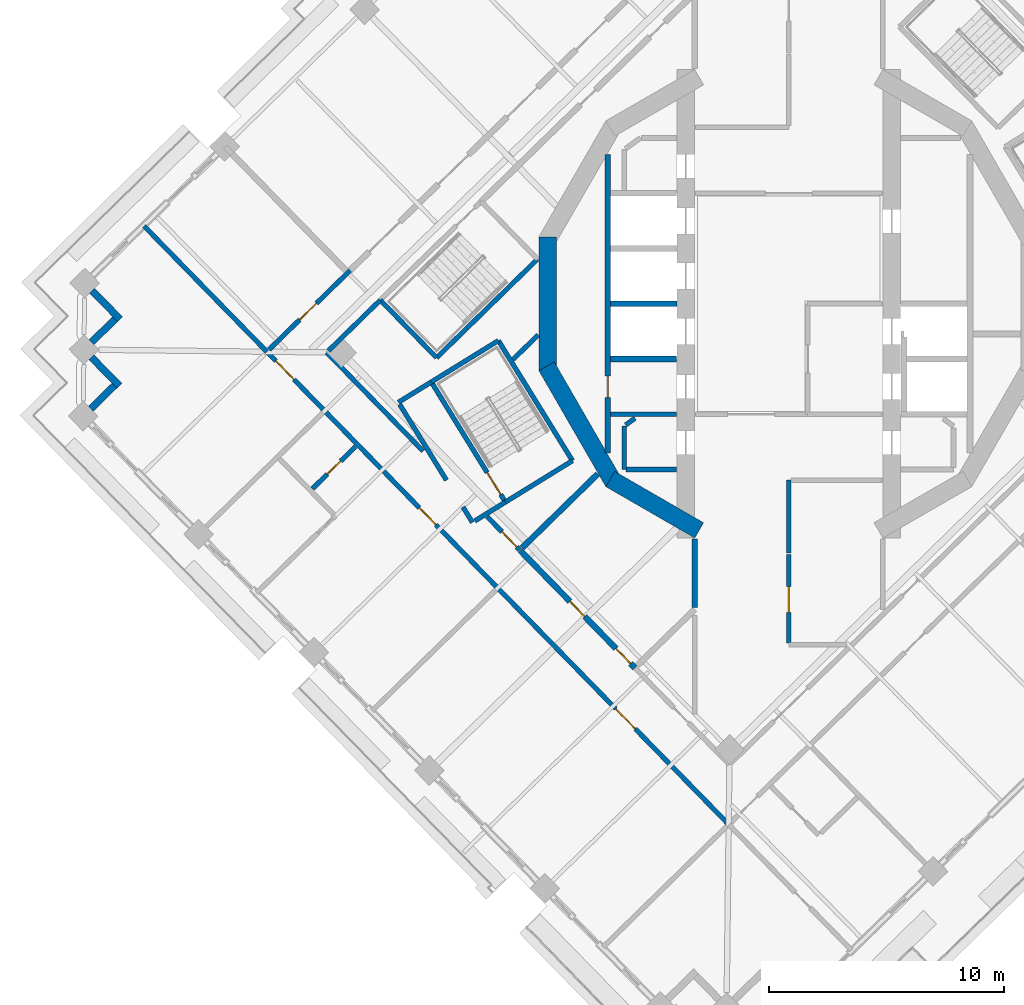
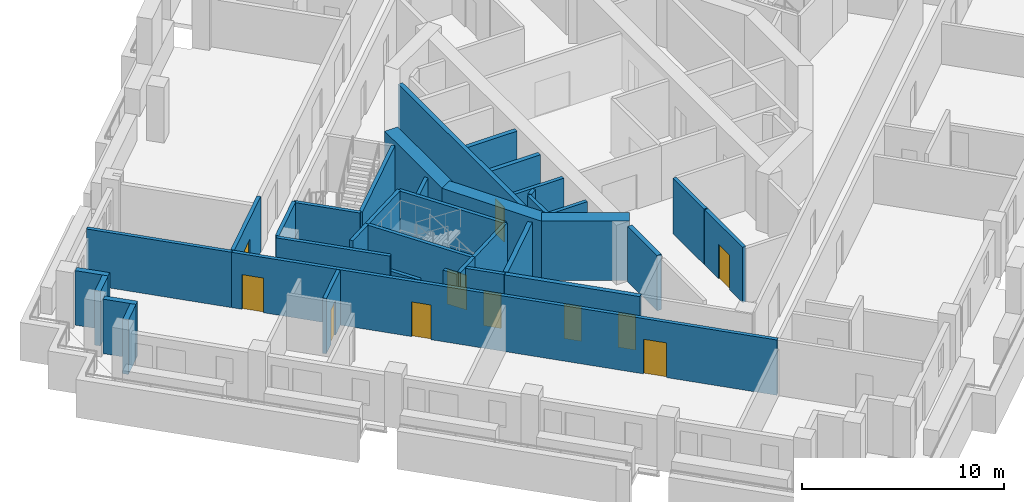
# One storey, part 5 of 17: 37 walls, 11 doors, 11 openings.
"""IFC4 building model written with IfcOpenShell, lengths in metres."""

from ifc_helpers import new_model, si_unit, direction, frame, frame_2d, origin, place, context, subcontext, project, spatial, rectangle, extrude, material, layer, layer_set, type_object, element, fill, save


model = new_model("IFC4")

# Units and contexts
model_context = context("Model", 3, precision=1e-05, world=origin(), true_north=direction((0.0, 1.0)))
body_context = subcontext(model_context, "Body", "Model", "MODEL_VIEW")
ifc_project = project(units=[si_unit("LENGTHUNIT", "METRE"), si_unit("AREAUNIT", "SQUARE_METRE"), si_unit("VOLUMEUNIT", "CUBIC_METRE"), si_unit("PLANEANGLEUNIT", "RADIAN"), si_unit("MASSUNIT", "GRAM", prefix="KILO")], contexts=[model_context])

# Site, building, storey
site_placement = place(None, origin())
site = spatial("IfcSite", under=ifc_project, at=site_placement, CompositionType="ELEMENT")
building_placement = place(site_placement, origin())
building = spatial("IfcBuilding", under=site, at=building_placement, Name="Cantera Rosa Tower", CompositionType="ELEMENT")
storey_placement = place(building_placement, frame((0.0, 0.0, 227.0)))
storey = spatial("IfcBuildingStorey", under=building, at=storey_placement, Name="L49", CompositionType="ELEMENT", Elevation=227.0)

# Wall
ifc_material_1 = material(Name="Gypsum board partition")
ifc_layer_1 = layer(ifc_material_1, 0.199951171875)
ifc_layer_set_1 = layer_set([ifc_layer_1], Name="CORRIDOR WALL 200 H2300")
wall_type_1 = type_object("IfcWallType", Name="CORRIDOR WALL 200 H2300", PredefinedType="PARTITIONING", material=ifc_layer_set_1)
wall_1_placement = place(storey_placement, frame((-16.548095703125, -4.274658203125, 0.0), z_axis=(0.0, 0.0, 1.0), x_axis=(0.524970357961, -0.851120510423, 0.0)))
element("IfcWall", 1, at=wall_1_placement, inside=storey, type_object=wall_type_1, Name="CORRIDOR WALL L49-011", PredefinedType="PARTITIONING", context=body_context, shape_type="SweptSolid", body=[
    extrude(rectangle(XDim=3.790771484375, YDim=0.199951171875, at=frame_2d((1.8955078125, 0.0))), origin(), (0.0, 0.0, 1.0), 2.300048828125),
])

# Wall, openings, doors
ifc_material_2 = material(Name="Gypsum board partition")
ifc_layer_2 = layer(ifc_material_2, 0.199951171875)
ifc_layer_set_2 = layer_set([ifc_layer_2], Name="CORRIDOR WALL 200 H3350")
wall_type_2 = type_object("IfcWallType", Name="CORRIDOR WALL 200 H3350", PredefinedType="PARTITIONING", material=ifc_layer_set_2)
wall_2_placement = place(storey_placement, frame((-22.17919921875, -2.05419921875, 0.0), z_axis=(0.0, 0.0, 1.0), x_axis=(0.698829646007, -0.715288141844, 0.0)))
wall_2 = element("IfcWall", 2, at=wall_2_placement, inside=storey, type_object=wall_type_2, Name="CORRIDOR WALL L49-004", PredefinedType="PARTITIONING", context=body_context, shape_type="SweptSolid", body=[
    extrude(rectangle(XDim=28.080322265625, YDim=0.199951171875, at=frame_2d((14.0400390625, 0.0))), origin(), (0.0, 0.0, 1.0), 3.35009765625),
])
opening_1_placement = place(wall_2_placement, frame((21.199951171875, 0.0, 0.0)))
opening_1 = element("IfcOpeningElement", 3, at=opening_1_placement, cuts=wall_2, Name="Opening L49-038", PredefinedType="OPENING", context=body_context, shape_type="SweptSolid", body=[
    extrude(rectangle(XDim=1.199951171875, YDim=2.10009765625, at=frame_2d((0.60009765625, 1.050048828125))), frame((0.0, 0.10986328125, 0.0), z_axis=(0.0, -1.0, 0.0), x_axis=(1.0, 0.0, 0.0)), (0.0, 0.0, 1.0), 0.219970703125),
])
opening_2_placement = place(wall_2_placement, frame((9.264892578125, 0.0, 0.0)))
opening_2 = element("IfcOpeningElement", 4, at=opening_2_placement, cuts=wall_2, Name="Opening L49-039", PredefinedType="OPENING", context=body_context, shape_type="SweptSolid", body=[
    extrude(rectangle(XDim=1.0, YDim=2.10009765625, at=frame_2d((0.5, 1.050048828125))), frame((0.0, 0.10986328125, 0.0), z_axis=(0.0, -1.0, 0.0), x_axis=(1.0, 0.0, 0.0)), (0.0, 0.0, 1.0), 0.219970703125),
])
opening_3_placement = place(wall_2_placement, frame((0.530029296875, 0.0, 0.0)))
opening_3 = element("IfcOpeningElement", 5, at=opening_3_placement, cuts=wall_2, Name="Opening L49-042", PredefinedType="OPENING", context=body_context, shape_type="SweptSolid", body=[
    extrude(rectangle(XDim=1.10009765625, YDim=2.10009765625, at=frame_2d((0.550048828125, 1.050048828125))), frame((0.0, 0.10986328125, 0.0), z_axis=(0.0, -1.0, 0.0), x_axis=(1.0, 0.0, 0.0)), (0.0, 0.0, 1.0), 0.219970703125),
])
ifc_material_3 = material(Name="Timber door leaf", Category="wood")
door_type_1 = type_object("IfcDoorType", Name="ENTRANCE DOOR 1000x2100", OperationType="NOTDEFINED", PredefinedType="DOOR", material=ifc_material_3)
door_1_placement = place(opening_2_placement, origin())
door_1 = element("IfcDoor", 6, at=door_1_placement, inside=storey, type_object=door_type_1, Name="DOOR L49-039", OperationType="NOTDEFINED", OverallHeight=2.10009765625, OverallWidth=1.0, PredefinedType="DOOR", context=body_context, shape_type="SweptSolid", body=[
    extrude(rectangle(XDim=1.0, YDim=2.10009765625, at=frame_2d((0.5, 1.050048828125))), frame((0.0, 0.02490234375, 0.0), z_axis=(0.0, -1.0, 0.0), x_axis=(1.0, 0.0, 0.0)), (0.0, 0.0, 1.0), 0.050048828125),
])
fill(opening_2, door_1)
ifc_material_4 = material(Name="Timber door leaf", Category="wood")
door_type_2 = type_object("IfcDoorType", Name="ROOM DOOR 1100x2100", OperationType="NOTDEFINED", PredefinedType="DOOR", material=ifc_material_4)
door_2_placement = place(opening_3_placement, origin())
door_2 = element("IfcDoor", 7, at=door_2_placement, inside=storey, type_object=door_type_2, Name="DOOR L49-042", OperationType="NOTDEFINED", OverallHeight=2.10009765625, OverallWidth=1.10009765625, PredefinedType="DOOR", context=body_context, shape_type="SweptSolid", body=[
    extrude(rectangle(XDim=1.10009765625, YDim=2.10009765625, at=frame_2d((0.550048828125, 1.050048828125))), frame((0.0, 0.02490234375, 0.0), z_axis=(0.0, -1.0, 0.0), x_axis=(1.0, 0.0, 0.0)), (0.0, 0.0, 1.0), 0.050048828125),
])
fill(opening_3, door_2)
ifc_material_5 = material(Name="Timber door leaf", Category="wood")
door_type_3 = type_object("IfcDoorType", Name="ROOM DOOR 1200x2100", OperationType="NOTDEFINED", PredefinedType="DOOR", material=ifc_material_5)
door_3_placement = place(opening_1_placement, origin())
door_3 = element("IfcDoor", 8, at=door_3_placement, inside=storey, type_object=door_type_3, Name="DOOR L49-038", OperationType="NOTDEFINED", OverallHeight=2.10009765625, OverallWidth=1.199951171875, PredefinedType="DOOR", context=body_context, shape_type="SweptSolid", body=[
    extrude(rectangle(XDim=1.199951171875, YDim=2.10009765625, at=frame_2d((0.60009765625, 1.050048828125))), frame((0.0, 0.02490234375, 0.0), z_axis=(0.0, -1.0, 0.0), x_axis=(1.0, 0.0, 0.0)), (0.0, 0.0, 1.0), 0.050048828125),
])
fill(opening_1, door_3)

# Walls
wall_3_placement = place(storey_placement, frame((-19.647705078125, -2.069580078125, 0.0), z_axis=(0.0, 0.0, 1.0), x_axis=(0.698845926006, -0.715272236079, 0.0)))
element("IfcWall", 9, at=wall_3_placement, inside=storey, type_object=wall_type_2, Name="CORRIDOR WALL L49-005", PredefinedType="PARTITIONING", context=body_context, shape_type="SweptSolid", body=[
    extrude(rectangle(XDim=5.870849609375, YDim=0.199951171875, at=frame_2d((2.935546875, 0.0))), origin(), (0.0, 0.0, 1.0), 3.35009765625),
])
wall_4_placement = place(storey_placement, frame((-17.36962890625, 0.156005859375, 0.0), z_axis=(0.0, 0.0, 1.0), x_axis=(-0.715289693103, -0.69882805821, 0.0)))
element("IfcWall", 10, at=wall_4_placement, inside=storey, type_object=wall_type_2, Name="CORRIDOR WALL L49-009", PredefinedType="PARTITIONING", context=body_context, shape_type="SweptSolid", body=[
    extrude(rectangle(XDim=3.084716796875, YDim=0.199951171875, at=frame_2d((1.54248046875, 0.0))), origin(), (0.0, 0.0, 1.0), 3.35009765625),
])
wall_5_placement = place(storey_placement, frame((-16.6005859375, -4.189697265625, 0.0), z_axis=(0.0, 0.0, 1.0), x_axis=(0.8510360128, 0.525107327047, 0.0)))
element("IfcWall", 11, at=wall_5_placement, inside=storey, type_object=wall_type_2, Name="CORRIDOR WALL L49-010", PredefinedType="PARTITIONING", context=body_context, shape_type="SweptSolid", body=[
    extrude(rectangle(XDim=1.64501953125, YDim=0.199951171875, at=frame_2d((0.822509765625, 0.0))), origin(), (0.0, 0.0, 1.0), 3.35009765625),
])
wall_6_placement = place(storey_placement, frame((-13.8525390625, -8.64501953125, 0.0), z_axis=(0.0, 0.0, 1.0), x_axis=(0.52482706305, -0.851208877944, 0.0)))
element("IfcWall", 12, at=wall_6_placement, inside=storey, type_object=wall_type_2, Name="CORRIDOR WALL L49-012", PredefinedType="PARTITIONING", context=body_context, shape_type="SweptSolid", body=[
    extrude(rectangle(XDim=0.76513671875, YDim=0.199951171875, at=frame_2d((0.382568359375, 0.0))), origin(), (0.0, 0.0, 1.0), 3.35009765625),
])
wall_7_placement = place(storey_placement, frame((-13.3486328125, -9.2333984375, 0.0), z_axis=(0.0, 0.0, 1.0), x_axis=(0.851042101438, 0.525097459126, 0.0)))
element("IfcWall", 13, at=wall_7_placement, inside=storey, type_object=wall_type_2, Name="CORRIDOR WALL L49-015", PredefinedType="PARTITIONING", context=body_context, shape_type="SweptSolid", body=[
    extrude(rectangle(XDim=1.52490234375, YDim=0.199951171875, at=frame_2d((0.762451171875, 0.0))), origin(), (0.0, 0.0, 1.0), 3.35009765625),
])

# Wall, opening, door
wall_8_placement = place(storey_placement, frame((-12.828125, -9.0498046875, 0.0), z_axis=(0.0, 0.0, 1.0), x_axis=(0.698907294962, -0.715212271322, 0.0)))
wall_8 = element("IfcWall", 14, at=wall_8_placement, inside=storey, type_object=wall_type_2, Name="CORRIDOR WALL L49-017", PredefinedType="PARTITIONING", context=body_context, shape_type="SweptSolid", body=[
    extrude(rectangle(XDim=1.991455078125, YDim=0.199951171875, at=frame_2d((0.99560546875, 0.0))), origin(), (0.0, 0.0, 1.0), 3.35009765625),
])
opening_4_placement = place(wall_8_placement, frame((0.908203125, 0.0, 0.0)))
opening_4 = element("IfcOpeningElement", 15, at=opening_4_placement, cuts=wall_8, Name="Opening L49-009", PredefinedType="OPENING", context=body_context, shape_type="SweptSolid", body=[
    extrude(rectangle(XDim=0.89990234375, YDim=2.10009765625, at=frame_2d((0.449951171875, 1.050048828125))), frame((0.0, 0.10986328125, 0.0), z_axis=(0.0, -1.0, 0.0), x_axis=(1.0, 0.0, 0.0)), (0.0, 0.0, 1.0), 0.219970703125),
])
ifc_material_6 = material(Name="Timber door leaf", Category="wood")
door_type_4 = type_object("IfcDoorType", Name="SERVICE DOOR 900x2100", OperationType="NOTDEFINED", PredefinedType="DOOR", material=ifc_material_6)
door_4_placement = place(opening_4_placement, origin())
door_4 = element("IfcDoor", 16, at=door_4_placement, inside=storey, type_object=door_type_4, Name="DOOR L49-009", OperationType="NOTDEFINED", OverallHeight=2.10009765625, OverallWidth=0.89990234375, PredefinedType="DOOR", context=body_context, shape_type="SweptSolid", body=[
    extrude(rectangle(XDim=0.89990234375, YDim=2.10009765625, at=frame_2d((0.449951171875, 1.050048828125))), frame((0.0, 0.02490234375, 0.0), z_axis=(0.0, -1.0, 0.0), x_axis=(1.0, 0.0, 0.0)), (0.0, 0.0, 1.0), 0.050048828125),
])
fill(opening_4, door_4)

wall_9_placement = place(storey_placement, frame((0.0, -10.6552734375, 0.0), z_axis=(0.0, 0.0, 1.0), x_axis=(0.0, -1.0, 0.0)))
wall_9 = element("IfcWall", 17, at=wall_9_placement, inside=storey, type_object=wall_type_2, Name="CORRIDOR WALL L49-057", PredefinedType="PARTITIONING", context=body_context, shape_type="SweptSolid", body=[
    extrude(rectangle(XDim=3.7646484375, YDim=0.199951171875, at=frame_2d((1.88232421875, 0.0))), origin(), (0.0, 0.0, 1.0), 3.35009765625),
])
opening_5_placement = place(wall_9_placement, frame((1.372314453125, 0.0, 0.0)))
opening_5 = element("IfcOpeningElement", 18, at=opening_5_placement, cuts=wall_9, Name="Opening L49-019", PredefinedType="OPENING", context=body_context, shape_type="SweptSolid", body=[
    extrude(rectangle(XDim=1.10009765625, YDim=2.10009765625, at=frame_2d((0.550048828125, 1.050048828125))), frame((0.0, 0.10986328125, 0.0), z_axis=(0.0, -1.0, 0.0), x_axis=(1.0, 0.0, 0.0)), (0.0, 0.0, 1.0), 0.219970703125),
])
door_5_placement = place(opening_5_placement, origin())
door_5 = element("IfcDoor", 19, at=door_5_placement, inside=storey, type_object=door_type_2, Name="DOOR L49-019", OperationType="NOTDEFINED", OverallHeight=2.10009765625, OverallWidth=1.10009765625, PredefinedType="DOOR", context=body_context, shape_type="SweptSolid", body=[
    extrude(rectangle(XDim=1.10009765625, YDim=2.10009765625, at=frame_2d((0.550048828125, 1.050048828125))), frame((0.0, 0.02490234375, 0.0), z_axis=(0.0, -1.0, 0.0), x_axis=(1.0, 0.0, 0.0)), (0.0, 0.0, 1.0), 0.050048828125),
])
fill(opening_5, door_5)

# Wall
wall_10_placement = place(storey_placement, frame((0.0, -7.5, 0.0), z_axis=(0.0, 0.0, 1.0), x_axis=(0.0, -1.0, 0.0)))
element("IfcWall", 20, at=wall_10_placement, inside=storey, type_object=wall_type_2, Name="CORRIDOR WALL L49-058", PredefinedType="PARTITIONING", context=body_context, shape_type="SweptSolid", body=[
    extrude(rectangle(XDim=3.09521484375, YDim=0.199951171875, at=frame_2d((1.547607421875, 0.0))), origin(), (0.0, 0.0, 1.0), 3.35009765625),
])

# Wall, opening, door
wall_11_placement = place(storey_placement, frame((-18.656005859375, 1.415771484375, 0.0), z_axis=(0.0, 0.0, 1.0), x_axis=(-0.715256178236, -0.698862360908, 0.0)))
wall_11 = element("IfcWall", 21, at=wall_11_placement, inside=storey, type_object=wall_type_2, Name="CORRIDOR WALL L49-068", PredefinedType="PARTITIONING", context=body_context, shape_type="SweptSolid", body=[
    extrude(rectangle(XDim=4.8251953125, YDim=0.199951171875, at=frame_2d((2.41259765625, 0.0))), origin(), (0.0, 0.0, 1.0), 3.35009765625),
])
opening_6_placement = place(wall_11_placement, frame((1.9951171875, 0.0, 0.0)))
opening_6 = element("IfcOpeningElement", 22, at=opening_6_placement, cuts=wall_11, Name="Opening L49-037", PredefinedType="OPENING", context=body_context, shape_type="SweptSolid", body=[
    extrude(rectangle(XDim=1.0, YDim=2.10009765625, at=frame_2d((0.5, 1.050048828125))), frame((0.0, 0.10986328125, 0.0), z_axis=(0.0, -1.0, 0.0), x_axis=(1.0, 0.0, 0.0)), (0.0, 0.0, 1.0), 0.219970703125),
])
ifc_material_7 = material(Name="Timber door leaf", Category="wood")
door_type_5 = type_object("IfcDoorType", Name="ROOM DOOR 1000x2100", OperationType="NOTDEFINED", PredefinedType="DOOR", material=ifc_material_7)
door_6_placement = place(opening_6_placement, origin())
door_6 = element("IfcDoor", 23, at=door_6_placement, inside=storey, type_object=door_type_5, Name="DOOR L49-037", OperationType="NOTDEFINED", OverallHeight=2.10009765625, OverallWidth=1.0, PredefinedType="DOOR", context=body_context, shape_type="SweptSolid", body=[
    extrude(rectangle(XDim=1.0, YDim=2.10009765625, at=frame_2d((0.5, 1.050048828125))), frame((0.0, 0.02490234375, 0.0), z_axis=(0.0, -1.0, 0.0), x_axis=(1.0, 0.0, 0.0)), (0.0, 0.0, 1.0), 0.050048828125),
])
fill(opening_6, door_6)

# Walls
ifc_material_8 = material(Name="Hollow clay masonry with cantera stone cladding", Category="masonry")
ifc_layer_3 = layer(ifc_material_8, 0.300048828125)
ifc_layer_set_3 = layer_set([ifc_layer_3], Name="EW-LOGGIA 300")
wall_type_3 = type_object("IfcWallType", Name="EW-LOGGIA 300", PredefinedType="SOLIDWALL", material=ifc_layer_set_3)
wall_12_placement = place(storey_placement, frame((-29.623291015625, 0.556884765625, 0.0), z_axis=(0.0, 0.0, 1.0), x_axis=(0.69880105094, -0.715316077832, 0.0)))
element("IfcWall", 24, at=wall_12_placement, inside=storey, type_object=wall_type_3, Name="EN-L49-W12a", PredefinedType="SOLIDWALL", context=body_context, shape_type="SweptSolid", body=[
    extrude(rectangle(XDim=1.699951171875, YDim=0.300048828125, at=frame_2d((0.85009765625, 0.0))), origin(), (0.0, 0.0, 1.0), 3.300048828125),
])
wall_13_placement = place(storey_placement, frame((-28.6474609375, -0.65673828125, 0.0), z_axis=(0.0, 0.0, 1.0), x_axis=(-0.715341715727, -0.698774806172, 0.0)))
element("IfcWall", 25, at=wall_13_placement, inside=storey, type_object=wall_type_3, Name="EN-L49-W12b", PredefinedType="SOLIDWALL", context=body_context, shape_type="SweptSolid", body=[
    extrude(rectangle(XDim=1.39990234375, YDim=0.300048828125, at=frame_2d((0.699951171875, 0.0))), origin(), (0.0, 0.0, 1.0), 3.300048828125),
])
wall_14_placement = place(storey_placement, frame((-29.65625, -2.271484375, 0.0), z_axis=(0.0, 0.0, 1.0), x_axis=(0.698872839675, -0.715245939495, 0.0)))
element("IfcWall", 26, at=wall_14_placement, inside=storey, type_object=wall_type_3, Name="EN-L49-W13a", PredefinedType="SOLIDWALL", context=body_context, shape_type="SweptSolid", body=[
    extrude(rectangle(XDim=1.699951171875, YDim=0.300048828125, at=frame_2d((0.85009765625, 0.0))), origin(), (0.0, 0.0, 1.0), 3.300048828125),
])
wall_15_placement = place(storey_placement, frame((-28.680419921875, -3.48486328125, 0.0), z_axis=(0.0, 0.0, 1.0), x_axis=(-0.71516937164, -0.698951192766, 0.0)))
element("IfcWall", 27, at=wall_15_placement, inside=storey, type_object=wall_type_3, Name="EN-L49-W13b", PredefinedType="SOLIDWALL", context=body_context, shape_type="SweptSolid", body=[
    extrude(rectangle(XDim=1.39990234375, YDim=0.300048828125, at=frame_2d((0.699951171875, 0.0))), origin(), (0.0, 0.0, 1.0), 3.300048828125),
])
ifc_material_9 = material(Name="Gypsum board partition")
ifc_layer_4 = layer(ifc_material_9, 0.199951171875)
ifc_layer_set_4 = layer_set([ifc_layer_4], Name="PARTITION 200 H3350")
wall_type_4 = type_object("IfcWallType", Name="PARTITION 200 H3350", PredefinedType="PARTITIONING", material=ifc_layer_set_4)
wall_16_placement = place(storey_placement, frame((-22.193115234375, -2.0400390625, 0.0), z_axis=(0.0, 0.0, 1.0), x_axis=(-0.69882275932, 0.715294870006, 0.0)))
element("IfcWall", 28, at=wall_16_placement, inside=storey, type_object=wall_type_4, Name="PARTITION L49-003", PredefinedType="PARTITIONING", context=body_context, shape_type="SweptSolid", body=[
    extrude(rectangle(XDim=7.469970703125, YDim=0.199951171875, at=frame_2d((3.73486328125, 0.0))), origin(), (0.0, 0.0, 1.0), 3.35009765625),
])

# Wall, opening, door
wall_17_placement = place(storey_placement, frame((-18.42138671875, -6.072265625, 0.0), z_axis=(0.0, 0.0, 1.0), x_axis=(-0.715260872502, -0.698857556493, 0.0)))
wall_17 = element("IfcWall", 29, at=wall_17_placement, inside=storey, type_object=wall_type_4, Name="PARTITION L49-008", PredefinedType="PARTITIONING", context=body_context, shape_type="SweptSolid", body=[
    extrude(rectangle(XDim=2.56005859375, YDim=0.199951171875, at=frame_2d((1.280029296875, 0.0))), origin(), (0.0, 0.0, 1.0), 3.35009765625),
])
opening_7_placement = place(wall_17_placement, frame((0.8798828125, 0.0, 0.0)))
opening_7 = element("IfcOpeningElement", 30, at=opening_7_placement, cuts=wall_17, Name="Opening L49-040", PredefinedType="OPENING", context=body_context, shape_type="SweptSolid", body=[
    extrude(rectangle(XDim=0.800048828125, YDim=2.10009765625, at=frame_2d((0.39990234375, 1.050048828125))), frame((0.0, 0.10986328125, 0.0), z_axis=(0.0, -1.0, 0.0), x_axis=(1.0, 0.0, 0.0)), (0.0, 0.0, 1.0), 0.219970703125),
])
ifc_material_10 = material(Name="Timber door leaf", Category="wood")
door_type_6 = type_object("IfcDoorType", Name="BATHROOM DOOR 800x2100", OperationType="NOTDEFINED", PredefinedType="DOOR", material=ifc_material_10)
door_7_placement = place(opening_7_placement, origin())
door_7 = element("IfcDoor", 31, at=door_7_placement, inside=storey, type_object=door_type_6, Name="DOOR L49-040", OperationType="NOTDEFINED", OverallHeight=2.10009765625, OverallWidth=0.800048828125, PredefinedType="DOOR", context=body_context, shape_type="SweptSolid", body=[
    extrude(rectangle(XDim=0.800048828125, YDim=2.10009765625, at=frame_2d((0.39990234375, 1.050048828125))), frame((0.0, 0.02490234375, 0.0), z_axis=(0.0, -1.0, 0.0), x_axis=(1.0, 0.0, 0.0)), (0.0, 0.0, 1.0), 0.050048828125),
])
fill(opening_7, door_7)

# Walls
wall_18_placement = place(storey_placement, frame((-11.73486328125, -2.377685546875, 0.0), z_axis=(0.0, 0.0, 1.0), x_axis=(0.715227626276, 0.698891581443, 0.0)))
element("IfcWall", 32, at=wall_18_placement, inside=storey, type_object=wall_type_4, Name="PARTITION L49-022", PredefinedType="PARTITIONING", context=body_context, shape_type="SweptSolid", body=[
    extrude(rectangle(XDim=1.509521484375, YDim=0.199951171875, at=frame_2d((0.7548828125, 0.0))), origin(), (0.0, 0.0, 1.0), 3.35009765625),
])
wall_19_placement = place(storey_placement, frame((-7.0, -7.050048828125, 0.0), z_axis=(0.0, 0.0, 1.0), x_axis=(0.0, 1.0, 0.0)))
element("IfcWall", 33, at=wall_19_placement, inside=storey, type_object=wall_type_4, Name="PARTITION L49-035", PredefinedType="PARTITIONING", context=body_context, shape_type="SweptSolid", body=[
    extrude(rectangle(XDim=1.85009765625, YDim=0.199951171875, at=frame_2d((0.925048828125, 0.0))), origin(), (0.0, 0.0, 1.0), 3.35009765625),
])
wall_20_placement = place(storey_placement, frame((-6.935302734375, -5.15283203125, 0.0), z_axis=(0.0, 0.0, 1.0), x_axis=(0.808368872862, 0.588676282338, 0.0)))
element("IfcWall", 34, at=wall_20_placement, inside=storey, type_object=wall_type_4, Name="PARTITION L49-036", PredefinedType="PARTITIONING", context=body_context, shape_type="SweptSolid", body=[
    extrude(rectangle(XDim=0.489013671875, YDim=0.199951171875, at=frame_2d((0.24462890625, 0.0))), origin(), (0.0, 0.0, 1.0), 3.35009765625),
])
wall_21_placement = place(storey_placement, frame((-4.780029296875, -7.050048828125, 0.0), z_axis=(0.0, 0.0, 1.0), x_axis=(-1.0, 0.0, 0.0)))
element("IfcWall", 35, at=wall_21_placement, inside=storey, type_object=wall_type_4, Name="PARTITION L49-043", PredefinedType="PARTITIONING", context=body_context, shape_type="SweptSolid", body=[
    extrude(rectangle(XDim=2.139892578125, YDim=0.199951171875, at=frame_2d((1.06982421875, 0.0))), origin(), (0.0, 0.0, 1.0), 3.35009765625),
])
wall_22_placement = place(storey_placement, frame((-4.780029296875, -4.699951171875, 0.0), z_axis=(0.0, 0.0, 1.0), x_axis=(-1.0, 0.0, 0.0)))
element("IfcWall", 36, at=wall_22_placement, inside=storey, type_object=wall_type_4, Name="PARTITION L49-044", PredefinedType="PARTITIONING", context=body_context, shape_type="SweptSolid", body=[
    extrude(rectangle(XDim=2.794921875, YDim=0.199951171875, at=frame_2d((1.3974609375, 0.0))), origin(), (0.0, 0.0, 1.0), 3.35009765625),
])
ifc_material_11 = material(Name="Concrete C60/75", Category="concrete")
ifc_layer_5 = layer(ifc_material_11, 0.75)
ifc_layer_set_5 = layer_set([ifc_layer_5], Name="RC CORE WALL 750 C60/75")
wall_type_5 = type_object("IfcWallType", Name="RC CORE WALL 750 C60/75", PredefinedType="SHEAR", material=ifc_layer_set_5)
wall_23_placement = place(storey_placement, frame((-3.8125, -9.634765625, 0.0), z_axis=(0.0, 0.0, 1.0), x_axis=(-0.866013176292, 0.50002117804, 0.0)))
element("IfcWall", 37, at=wall_23_placement, inside=storey, type_object=wall_type_5, Name="CW-W1 L49", PredefinedType="SHEAR", context=body_context, shape_type="SweptSolid", body=[
    extrude(rectangle(XDim=4.362548828125, YDim=0.75, at=frame_2d((2.18115234375, 0.0))), origin(), (0.0, 0.0, 1.0), 3.60009765625),
])
wall_24_placement = place(storey_placement, frame((-7.453369140625, -7.590576171875, 0.0), z_axis=(0.0, 0.0, 1.0), x_axis=(-0.500021842983, 0.866012792365, 0.0)))
element("IfcWall", 38, at=wall_24_placement, inside=storey, type_object=wall_type_5, Name="CW-W2 L49", PredefinedType="SHEAR", context=body_context, shape_type="SweptSolid", body=[
    extrude(rectangle(XDim=5.694091796875, YDim=0.75, at=frame_2d((2.84716796875, 0.0))), origin(), (0.0, 0.0, 1.0), 3.60009765625),
])
wall_25_placement = place(storey_placement, frame((-10.250244140625, -2.846923828125, 0.0), z_axis=(0.0, 0.0, 1.0), x_axis=(0.0, 1.0, 0.0)))
element("IfcWall", 39, at=wall_25_placement, inside=storey, type_object=wall_type_5, Name="CW-W3 L49", PredefinedType="SHEAR", context=body_context, shape_type="SweptSolid", body=[
    extrude(rectangle(XDim=5.69384765625, YDim=0.75, at=frame_2d((2.846923828125, 0.0))), origin(), (0.0, 0.0, 1.0), 3.60009765625),
])

# Wall, openings, doors
ifc_material_12 = material(Name="Masonry blockwork", Category="masonry")
ifc_layer_6 = layer(ifc_material_12, 0.25)
ifc_layer_set_6 = layer_set([ifc_layer_6], Name="SHAFT WALL 250 H3350")
wall_type_6 = type_object("IfcWallType", Name="SHAFT WALL 250 H3350", PredefinedType="SOLIDWALL", material=ifc_layer_set_6)
wall_26_placement = place(storey_placement, frame((-11.42236328125, -10.488525390625, 0.0), z_axis=(0.0, 0.0, 1.0), x_axis=(0.698839423539, -0.715278589158, 0.0)))
wall_26 = element("IfcWall", 40, at=wall_26_placement, inside=storey, type_object=wall_type_6, Name="SHAFT WALL L49-023", PredefinedType="SOLIDWALL", context=body_context, shape_type="SweptSolid", body=[
    extrude(rectangle(XDim=6.97998046875, YDim=0.25, at=frame_2d((3.489990234375, 0.0))), origin(), (0.0, 0.0, 1.0), 3.35009765625),
])
opening_8_placement = place(wall_26_placement, frame((5.830078125, 0.0, 0.0)))
opening_8 = element("IfcOpeningElement", 41, at=opening_8_placement, cuts=wall_26, Name="Opening L49-010", PredefinedType="OPENING", context=body_context, shape_type="SweptSolid", body=[
    extrude(rectangle(XDim=0.89990234375, YDim=2.10009765625, at=frame_2d((0.449951171875, 1.050048828125))), frame((0.0, 0.135009765625, 0.0), z_axis=(0.0, -1.0, 0.0), x_axis=(1.0, 0.0, 0.0)), (0.0, 0.0, 1.0), 0.27001953125),
])
opening_9_placement = place(wall_26_placement, frame((3.030029296875, 0.0, 0.0)))
opening_9 = element("IfcOpeningElement", 42, at=opening_9_placement, cuts=wall_26, Name="Opening L49-053", PredefinedType="OPENING", context=body_context, shape_type="SweptSolid", body=[
    extrude(rectangle(XDim=0.89990234375, YDim=2.10009765625, at=frame_2d((0.449951171875, 1.050048828125))), frame((0.0, 0.135009765625, 0.0), z_axis=(0.0, -1.0, 0.0), x_axis=(1.0, 0.0, 0.0)), (0.0, 0.0, 1.0), 0.27001953125),
])
door_8_placement = place(opening_8_placement, origin())
door_8 = element("IfcDoor", 43, at=door_8_placement, inside=storey, type_object=door_type_4, Name="RISER DOOR L49-010", OperationType="NOTDEFINED", OverallHeight=2.10009765625, OverallWidth=0.89990234375, PredefinedType="DOOR", context=body_context, shape_type="SweptSolid", body=[
    extrude(rectangle(XDim=0.89990234375, YDim=2.10009765625, at=frame_2d((0.449951171875, 1.050048828125))), frame((0.0, 0.02490234375, 0.0), z_axis=(0.0, -1.0, 0.0), x_axis=(1.0, 0.0, 0.0)), (0.0, 0.0, 1.0), 0.050048828125),
])
fill(opening_8, door_8)
door_9_placement = place(opening_9_placement, origin())
door_9 = element("IfcDoor", 44, at=door_9_placement, inside=storey, type_object=door_type_4, Name="RISER DOOR L49-053", OperationType="NOTDEFINED", OverallHeight=2.10009765625, OverallWidth=0.89990234375, PredefinedType="DOOR", context=body_context, shape_type="SweptSolid", body=[
    extrude(rectangle(XDim=0.89990234375, YDim=2.10009765625, at=frame_2d((0.449951171875, 1.050048828125))), frame((0.0, 0.02490234375, 0.0), z_axis=(0.0, -1.0, 0.0), x_axis=(1.0, 0.0, 0.0)), (0.0, 0.0, 1.0), 0.050048828125),
])
fill(opening_9, door_9)

# Walls
wall_27_placement = place(storey_placement, frame((-8.12451171875, -7.238525390625, 0.0), z_axis=(0.0, 0.0, 1.0), x_axis=(-0.715269352267, -0.698848877589, 0.0)))
element("IfcWall", 45, at=wall_27_placement, inside=storey, type_object=wall_type_6, Name="SHAFT WALL L49-027", PredefinedType="SOLIDWALL", context=body_context, shape_type="SweptSolid", body=[
    extrude(rectangle(XDim=4.490234375, YDim=0.25, at=frame_2d((2.2451171875, 0.0))), origin(), (0.0, 0.0, 1.0), 3.35009765625),
])
wall_28_placement = place(storey_placement, frame((-7.574951171875, -2.35009765625, 0.0), z_axis=(0.0, 0.0, 1.0), x_axis=(1.0, 0.0, 0.0)))
element("IfcWall", 46, at=wall_28_placement, inside=storey, type_object=wall_type_6, Name="SHAFT WALL L49-029", PredefinedType="SOLIDWALL", context=body_context, shape_type="SweptSolid", body=[
    extrude(rectangle(XDim=2.794921875, YDim=0.25, at=frame_2d((1.3974609375, 0.0))), origin(), (0.0, 0.0, 1.0), 3.35009765625),
])
wall_29_placement = place(storey_placement, frame((-7.574951171875, 0.0, 0.0), z_axis=(0.0, 0.0, 1.0), x_axis=(1.0, 0.0, 0.0)))
element("IfcWall", 47, at=wall_29_placement, inside=storey, type_object=wall_type_6, Name="SHAFT WALL L49-030", PredefinedType="SOLIDWALL", context=body_context, shape_type="SweptSolid", body=[
    extrude(rectangle(XDim=2.824951171875, YDim=0.25, at=frame_2d((1.41259765625, 0.0))), origin(), (0.0, 0.0, 1.0), 3.35009765625),
])

# Wall, opening, door
wall_30_placement = place(storey_placement, frame((-7.699951171875, 6.353515625, 0.0), z_axis=(0.0, 0.0, 1.0), x_axis=(0.0, -1.0, 0.0)))
wall_30 = element("IfcWall", 48, at=wall_30_placement, inside=storey, type_object=wall_type_6, Name="SHAFT WALL L49-033", PredefinedType="SOLIDWALL", context=body_context, shape_type="SweptSolid", body=[
    extrude(rectangle(XDim=12.70703125, YDim=0.25, at=frame_2d((6.353515625, 0.0))), origin(), (0.0, 0.0, 1.0), 3.35009765625),
])
opening_10_placement = place(wall_30_placement, frame((9.4287109375, 0.0, 0.0)))
opening_10 = element("IfcOpeningElement", 49, at=opening_10_placement, cuts=wall_30, Name="Opening L49-054", PredefinedType="OPENING", context=body_context, shape_type="SweptSolid", body=[
    extrude(rectangle(XDim=0.89990234375, YDim=2.10009765625, at=frame_2d((0.449951171875, 1.050048828125))), frame((0.0, 0.135009765625, 0.0), z_axis=(0.0, -1.0, 0.0), x_axis=(1.0, 0.0, 0.0)), (0.0, 0.0, 1.0), 0.27001953125),
])
door_10_placement = place(opening_10_placement, origin())
door_10 = element("IfcDoor", 50, at=door_10_placement, inside=storey, type_object=door_type_4, Name="RISER DOOR L49-054", OperationType="NOTDEFINED", OverallHeight=2.10009765625, OverallWidth=0.89990234375, PredefinedType="DOOR", context=body_context, shape_type="SweptSolid", body=[
    extrude(rectangle(XDim=0.89990234375, YDim=2.10009765625, at=frame_2d((0.449951171875, 1.050048828125))), frame((0.0, 0.02490234375, 0.0), z_axis=(0.0, -1.0, 0.0), x_axis=(1.0, 0.0, 0.0)), (0.0, 0.0, 1.0), 0.050048828125),
])
fill(opening_10, door_10)

# Walls
wall_31_placement = place(storey_placement, frame((-4.0, -9.994140625, 0.0), z_axis=(0.0, 0.0, 1.0), x_axis=(0.0, -1.0, 0.0)))
element("IfcWall", 51, at=wall_31_placement, inside=storey, type_object=wall_type_6, Name="SHAFT WALL L49-047", PredefinedType="SOLIDWALL", context=body_context, shape_type="SweptSolid", body=[
    extrude(rectangle(XDim=2.921142578125, YDim=0.25, at=frame_2d((1.46044921875, 0.0))), origin(), (0.0, 0.0, 1.0), 3.35009765625),
])
ifc_material_13 = material(Name="Concrete C50/60", Category="concrete")
ifc_layer_7 = layer(ifc_material_13, 0.199951171875)
ifc_layer_set_7 = layer_set([ifc_layer_7], Name="STAIR WALL 200 H3350")
wall_type_7 = type_object("IfcWallType", Name="STAIR WALL 200 H3350", PredefinedType="SOLIDWALL", material=ifc_layer_set_7)
wall_32_placement = place(storey_placement, frame((-15.20068359375, -3.325927734375, 0.0), z_axis=(0.0, 0.0, 1.0), x_axis=(0.85113993661, 0.524938861495, 0.0)))
element("IfcWall", 52, at=wall_32_placement, inside=storey, type_object=wall_type_7, Name="STAIR WALL L49-013", PredefinedType="SOLIDWALL", context=body_context, shape_type="SweptSolid", body=[
    extrude(rectangle(XDim=3.35009765625, YDim=0.199951171875, at=frame_2d((1.675048828125, 0.0))), origin(), (0.0, 0.0, 1.0), 3.35009765625),
])
wall_33_placement = place(storey_placement, frame((-14.975341796875, -2.294677734375, 0.0), z_axis=(0.0, 0.0, 1.0), x_axis=(-0.698828566482, 0.715289196527, 0.0)))
element("IfcWall", 53, at=wall_33_placement, inside=storey, type_object=wall_type_7, Name="STAIR WALL L49-014", PredefinedType="SOLIDWALL", context=body_context, shape_type="SweptSolid", body=[
    extrude(rectangle(XDim=3.426025390625, YDim=0.199951171875, at=frame_2d((1.712890625, 0.0))), origin(), (0.0, 0.0, 1.0), 3.35009765625),
])
wall_34_placement = place(storey_placement, frame((-12.349365234375, -1.5673828125, 0.0), z_axis=(0.0, 0.0, 1.0), x_axis=(0.524982543144, -0.851112994493, 0.0)))
element("IfcWall", 54, at=wall_34_placement, inside=storey, type_object=wall_type_7, Name="STAIR WALL L49-019", PredefinedType="SOLIDWALL", context=body_context, shape_type="SweptSolid", body=[
    extrude(rectangle(XDim=6.0, YDim=0.199951171875, at=frame_2d((3.0, 0.0))), origin(), (0.0, 0.0, 1.0), 3.35009765625),
])

# Wall, opening, door
wall_35_placement = place(storey_placement, frame((-12.05078125, -8.4326171875, 0.0), z_axis=(0.0, 0.0, 1.0), x_axis=(-0.524982543144, 0.851112994493, 0.0)))
wall_35 = element("IfcWall", 55, at=wall_35_placement, inside=storey, type_object=wall_type_7, Name="STAIR WALL L49-020", PredefinedType="SOLIDWALL", context=body_context, shape_type="SweptSolid", body=[
    extrude(rectangle(XDim=6.0, YDim=0.199951171875, at=frame_2d((3.0, 0.0))), origin(), (0.0, 0.0, 1.0), 3.35009765625),
])
opening_11_placement = place(wall_35_placement, frame((0.375, 0.0, 0.0)))
opening_11 = element("IfcOpeningElement", 56, at=opening_11_placement, cuts=wall_35, Name="Opening L49-005", PredefinedType="OPENING", context=body_context, shape_type="SweptSolid", body=[
    extrude(rectangle(XDim=1.10009765625, YDim=2.10009765625, at=frame_2d((0.550048828125, 1.050048828125))), frame((0.0, 0.10986328125, 0.0), z_axis=(0.0, -1.0, 0.0), x_axis=(1.0, 0.0, 0.0)), (0.0, 0.0, 1.0), 0.219970703125),
])
ifc_material_14 = material(Name="Steel S355J2 (EN 10025-2)", Category="steel")
door_type_7 = type_object("IfcDoorType", Name="STAIR DOOR 1100x2100", OperationType="NOTDEFINED", PredefinedType="DOOR", material=ifc_material_14)
door_11_placement = place(opening_11_placement, origin())
door_11 = element("IfcDoor", 57, at=door_11_placement, inside=storey, type_object=door_type_7, Name="DOOR L49-005", OperationType="NOTDEFINED", OverallHeight=2.10009765625, OverallWidth=1.10009765625, PredefinedType="DOOR", context=body_context, shape_type="SweptSolid", body=[
    extrude(rectangle(XDim=1.10009765625, YDim=2.10009765625, at=frame_2d((0.550048828125, 1.050048828125))), frame((0.0, 0.02490234375, 0.0), z_axis=(0.0, -1.0, 0.0), x_axis=(1.0, 0.0, 0.0)), (0.0, 0.0, 1.0), 0.050048828125),
])
fill(opening_11, door_11)

# Walls
wall_36_placement = place(storey_placement, frame((-12.05078125, -8.4326171875, 0.0), z_axis=(0.0, 0.0, 1.0), x_axis=(0.85113993661, 0.524938861495, 0.0)))
element("IfcWall", 58, at=wall_36_placement, inside=storey, type_object=wall_type_7, Name="STAIR WALL L49-021", PredefinedType="SOLIDWALL", context=body_context, shape_type="SweptSolid", body=[
    extrude(rectangle(XDim=3.35009765625, YDim=0.199951171875, at=frame_2d((1.675048828125, 0.0))), origin(), (0.0, 0.0, 1.0), 3.35009765625),
])
wall_37_placement = place(storey_placement, frame((-10.68359375, 1.8984375, 0.0), z_axis=(0.0, 0.0, 1.0), x_axis=(-0.715278260946, -0.698839759471, 0.0)))
element("IfcWall", 59, at=wall_37_placement, inside=storey, type_object=wall_type_7, Name="STAIR WALL L49-024", PredefinedType="SOLIDWALL", context=body_context, shape_type="SweptSolid", body=[
    extrude(rectangle(XDim=6.0, YDim=0.199951171875, at=frame_2d((3.0, 0.0))), origin(), (0.0, 0.0, 1.0), 3.35009765625),
])

save(model, "model.ifc")
